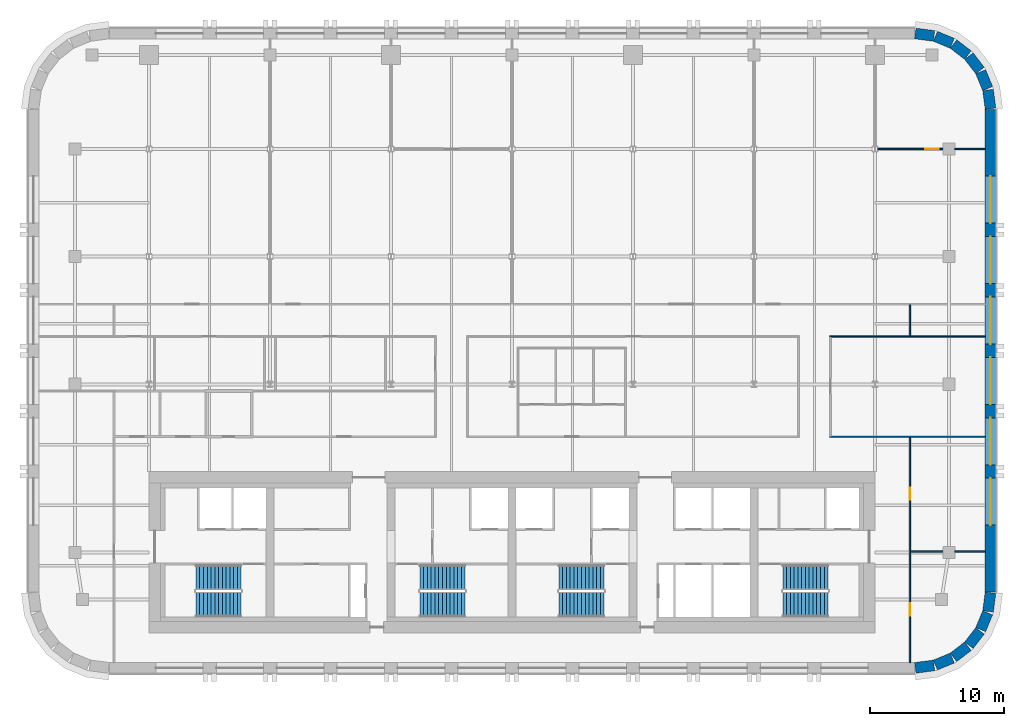
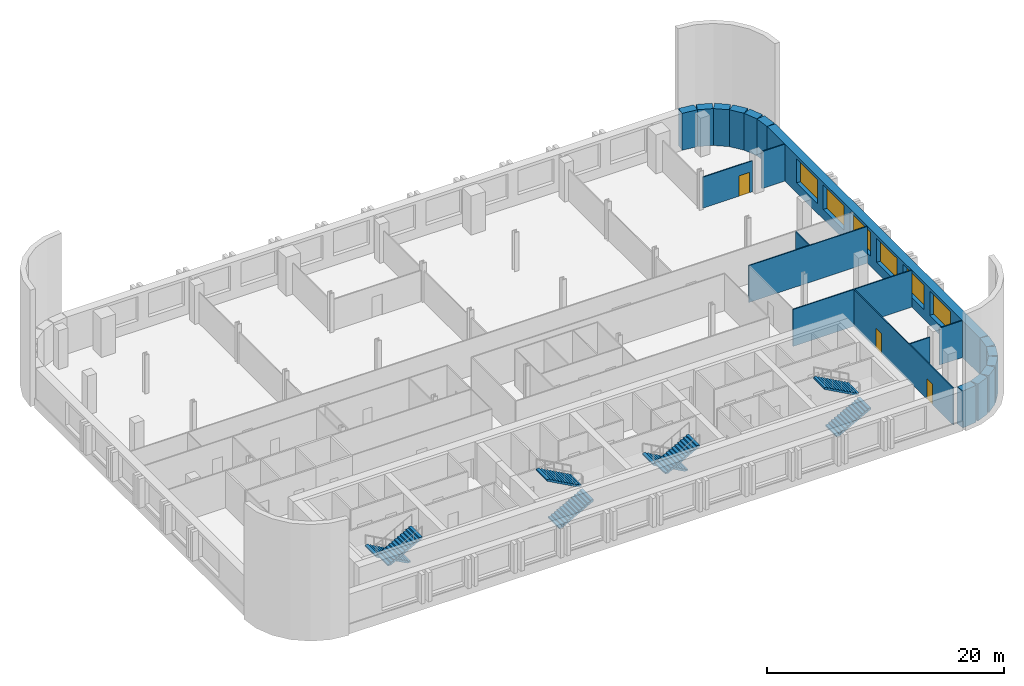
# One storey, part 7 of 9: 21 walls, 8 stair flights, 6 windows, 3 doors, 9 openings, 4 elements without a shape of their own.
"""IFC4 building model written with IfcOpenShell, lengths in metres."""

from ifc_helpers import new_model, si_unit, direction, frame, frame_2d, origin, place, context, subcontext, project, spatial, polyline, rectangle, outline, extrude, material, layer, layer_set, type_object, element, fill, aggregate, save


model = new_model("IFC4")

# Units and contexts
model_context = context("Model", 3, precision=1e-05, world=origin(), true_north=direction((0.0, 1.0)))
body_context = subcontext(model_context, "Body", "Model", "MODEL_VIEW")
ifc_project = project(units=[si_unit("LENGTHUNIT", "METRE"), si_unit("AREAUNIT", "SQUARE_METRE"), si_unit("VOLUMEUNIT", "CUBIC_METRE"), si_unit("PLANEANGLEUNIT", "RADIAN"), si_unit("MASSUNIT", "GRAM", prefix="KILO")], contexts=[model_context])

# Site, building, storey
site_placement = place(None, origin())
site = spatial("IfcSite", under=ifc_project, at=site_placement, CompositionType="ELEMENT")
building_placement = place(site_placement, origin())
building = spatial("IfcBuilding", under=site, at=building_placement, Name="Zellij Exchange Tower", CompositionType="ELEMENT")
storey_placement = place(building_placement, frame((0.0, 0.0, 200.5)))
storey = spatial("IfcBuildingStorey", under=building, at=storey_placement, Name="L46", CompositionType="ELEMENT", Elevation=200.5)

# Walls
ifc_material_1 = material(Name="Precast concrete C40/50", Category="concrete")
ifc_layer_1 = layer(ifc_material_1, 0.800048828125)
ifc_layer_set_1 = layer_set([ifc_layer_1], Name="Precast concrete C40/50")
wall_type_1 = type_object("IfcWallType", Name="ENV-EW1 Precast stone-piered wall 800", PredefinedType="SOLIDWALL", material=ifc_layer_set_1)
wall_1_placement = place(storey_placement, frame((29.999755859375, -16.5966796875, 0.0), z_axis=(0.0, 0.0, 1.0), x_axis=(0.99144603414, 0.130517283865, 0.0)))
element("IfcWall", 1, at=wall_1_placement, inside=storey, type_object=wall_type_1, Name="fac.L46.01", PredefinedType="SOLIDWALL", context=body_context, shape_type="SweptSolid", body=[
    extrude(rectangle(XDim=1.408447265625, YDim=0.800048828125, at=frame_2d((0.7041015625, 0.0))), origin(), (0.0, 0.0, 1.0), 3.800048828125),
])
wall_2_placement = place(storey_placement, frame((31.497314453125, -16.3857421875, 0.0), z_axis=(0.0, 0.0, 1.0), x_axis=(0.923847774587, 0.38276009378, 0.0)))
element("IfcWall", 2, at=wall_2_placement, inside=storey, type_object=wall_type_1, Name="fac.L46.02", PredefinedType="SOLIDWALL", context=body_context, shape_type="SweptSolid", body=[
    extrude(rectangle(XDim=1.35546875, YDim=0.800048828125, at=frame_2d((0.677734375, 0.0))), origin(), (0.0, 0.0, 1.0), 3.800048828125),
])
for number, where, z_axis, x_axis, name in (
    (3, (32.840087890625, -15.814697265625, 0.0), (0.0, 0.0, 1.0), (0.793272915452, 0.608866226366, 0.0), "fac.L46.03"),
    (4, (33.9892578125, -14.91552734375, 0.0), (0.0, 0.0, 1.0), (0.608866226366, 0.793272915452, 0.0), "fac.L46.04"),
):
    element("IfcWall", number, at=place(storey_placement, frame(where, z_axis=z_axis, x_axis=x_axis)), inside=storey, type_object=wall_type_1, Name=name, PredefinedType="SOLIDWALL", context=body_context, shape_type="SweptSolid", body=[
        extrude(rectangle(XDim=1.355712890625, YDim=0.800048828125, at=frame_2d((0.677734375, 0.0))), origin(), (0.0, 0.0, 1.0), 3.800048828125),
    ])
wall_3_placement = place(storey_placement, frame((34.866943359375, -13.74951171875, 0.0), z_axis=(0.0, 0.0, 1.0), x_axis=(0.38276009378, 0.923847774587, 0.0)))
element("IfcWall", 5, at=wall_3_placement, inside=storey, type_object=wall_type_1, Name="fac.L46.05", PredefinedType="SOLIDWALL", context=body_context, shape_type="SweptSolid", body=[
    extrude(rectangle(XDim=1.35546875, YDim=0.800048828125, at=frame_2d((0.677734375, 0.0))), origin(), (0.0, 0.0, 1.0), 3.800048828125),
])
wall_4_placement = place(storey_placement, frame((35.412841796875, -12.396240234375, 0.0), z_axis=(0.0, 0.0, 1.0), x_axis=(0.130517283865, 0.99144603414, 0.0)))
element("IfcWall", 6, at=wall_4_placement, inside=storey, type_object=wall_type_1, Name="fac.L46.06", PredefinedType="SOLIDWALL", context=body_context, shape_type="SweptSolid", body=[
    extrude(rectangle(XDim=1.408447265625, YDim=0.800048828125, at=frame_2d((0.7041015625, 0.0))), origin(), (0.0, 0.0, 1.0), 3.800048828125),
])

# Wall, openings, windows
wall_5_placement = place(storey_placement, frame((35.60009765625, -10.947509765625, 0.0), z_axis=(0.0, 0.0, 1.0), x_axis=(0.0, 1.0, 0.0)))
wall_5 = element("IfcWall", 7, at=wall_5_placement, inside=storey, type_object=wall_type_1, Name="fac.L46.07", PredefinedType="SOLIDWALL", context=body_context, shape_type="SweptSolid", body=[
    extrude(rectangle(XDim=35.89501953125, YDim=0.800048828125, at=frame_2d((17.947509765625, 0.0))), origin(), (0.0, 0.0, 1.0), 3.800048828125),
])
opening_1_placement = place(wall_5_placement, frame((4.9638671875, 0.0, 1.0)))
opening_1 = element("IfcOpeningElement", 8, at=opening_1_placement, cuts=wall_5, Name="Opening FZ3.13", PredefinedType="OPENING", context=body_context, shape_type="SweptSolid", body=[
    extrude(rectangle(XDim=3.5, YDim=2.5, at=frame_2d((1.75, 1.25))), frame((0.0, 0.412109375, 0.0), z_axis=(0.0, -1.0, 0.0), x_axis=(1.0, 0.0, 0.0)), (0.0, 0.0, 1.0), 0.823974609375),
])
opening_2_placement = place(wall_5_placement, frame((9.45751953125, 0.0, 1.0)))
opening_2 = element("IfcOpeningElement", 9, at=opening_2_placement, cuts=wall_5, Name="Opening FZ3.14", PredefinedType="OPENING", context=body_context, shape_type="SweptSolid", body=[
    extrude(rectangle(XDim=3.5, YDim=2.5, at=frame_2d((1.75, 1.25))), frame((0.0, 0.412109375, 0.0), z_axis=(0.0, -1.0, 0.0), x_axis=(1.0, 0.0, 0.0)), (0.0, 0.0, 1.0), 0.823974609375),
])
opening_3_placement = place(wall_5_placement, frame((13.950927734375, 0.0, 1.0)))
opening_3 = element("IfcOpeningElement", 10, at=opening_3_placement, cuts=wall_5, Name="Opening FZ3.15", PredefinedType="OPENING", context=body_context, shape_type="SweptSolid", body=[
    extrude(rectangle(XDim=3.5, YDim=2.5, at=frame_2d((1.75, 1.25))), frame((0.0, 0.412109375, 0.0), z_axis=(0.0, -1.0, 0.0), x_axis=(1.0, 0.0, 0.0)), (0.0, 0.0, 1.0), 0.823974609375),
])
opening_4_placement = place(wall_5_placement, frame((18.4443359375, 0.0, 1.0)))
opening_4 = element("IfcOpeningElement", 11, at=opening_4_placement, cuts=wall_5, Name="Opening FZ3.16", PredefinedType="OPENING", context=body_context, shape_type="SweptSolid", body=[
    extrude(rectangle(XDim=3.5, YDim=2.5, at=frame_2d((1.75, 1.25))), frame((0.0, 0.412109375, 0.0), z_axis=(0.0, -1.0, 0.0), x_axis=(1.0, 0.0, 0.0)), (0.0, 0.0, 1.0), 0.823974609375),
])
opening_5_placement = place(wall_5_placement, frame((22.937744140625, 0.0, 1.0)))
opening_5 = element("IfcOpeningElement", 12, at=opening_5_placement, cuts=wall_5, Name="Opening FZ3.17", PredefinedType="OPENING", context=body_context, shape_type="SweptSolid", body=[
    extrude(rectangle(XDim=3.5, YDim=2.5, at=frame_2d((1.75, 1.25))), frame((0.0, 0.412109375, 0.0), z_axis=(0.0, -1.0, 0.0), x_axis=(1.0, 0.0, 0.0)), (0.0, 0.0, 1.0), 0.823974609375),
])
opening_6_placement = place(wall_5_placement, frame((27.43115234375, 0.0, 1.0)))
opening_6 = element("IfcOpeningElement", 13, at=opening_6_placement, cuts=wall_5, Name="Opening FZ3.18", PredefinedType="OPENING", context=body_context, shape_type="SweptSolid", body=[
    extrude(rectangle(XDim=3.5, YDim=2.5, at=frame_2d((1.75, 1.25))), frame((0.0, 0.412109375, 0.0), z_axis=(0.0, -1.0, 0.0), x_axis=(1.0, 0.0, 0.0)), (0.0, 0.0, 1.0), 0.823974609375),
])
ifc_material_2 = material(Name="Aluminium frame with insulating glass", Category="aluminium")
window_type = type_object("IfcWindowType", Name="ENV-W1 Window 3500x2500", PartitioningType="SINGLE_PANEL", PredefinedType="WINDOW", material=ifc_material_2)
window_1_placement = place(opening_1_placement, origin())
window_1 = element("IfcWindow", 14, at=window_1_placement, inside=storey, type_object=window_type, Name="Window FZ3.13", OverallHeight=2.5, OverallWidth=3.5, PartitioningType="SINGLE_PANEL", PredefinedType="WINDOW", context=body_context, shape_type="SweptSolid", body=[
    extrude(rectangle(XDim=3.5, YDim=2.5, at=frame_2d((1.75, 1.25))), frame((0.0, 0.030029296875, 0.0), z_axis=(0.0, -1.0, 0.0), x_axis=(1.0, 0.0, 0.0)), (0.0, 0.0, 1.0), 0.06005859375),
])
fill(opening_1, window_1)
window_2_placement = place(opening_2_placement, origin())
window_2 = element("IfcWindow", 15, at=window_2_placement, inside=storey, type_object=window_type, Name="Window FZ3.14", OverallHeight=2.5, OverallWidth=3.5, PartitioningType="SINGLE_PANEL", PredefinedType="WINDOW", context=body_context, shape_type="SweptSolid", body=[
    extrude(rectangle(XDim=3.5, YDim=2.5, at=frame_2d((1.75, 1.25))), frame((0.0, 0.030029296875, 0.0), z_axis=(0.0, -1.0, 0.0), x_axis=(1.0, 0.0, 0.0)), (0.0, 0.0, 1.0), 0.06005859375),
])
fill(opening_2, window_2)
window_3_placement = place(opening_3_placement, origin())
window_3 = element("IfcWindow", 16, at=window_3_placement, inside=storey, type_object=window_type, Name="Window FZ3.15", OverallHeight=2.5, OverallWidth=3.5, PartitioningType="SINGLE_PANEL", PredefinedType="WINDOW", context=body_context, shape_type="SweptSolid", body=[
    extrude(rectangle(XDim=3.5, YDim=2.5, at=frame_2d((1.75, 1.25))), frame((0.0, 0.030029296875, 0.0), z_axis=(0.0, -1.0, 0.0), x_axis=(1.0, 0.0, 0.0)), (0.0, 0.0, 1.0), 0.06005859375),
])
fill(opening_3, window_3)
window_4_placement = place(opening_4_placement, origin())
window_4 = element("IfcWindow", 17, at=window_4_placement, inside=storey, type_object=window_type, Name="Window FZ3.16", OverallHeight=2.5, OverallWidth=3.5, PartitioningType="SINGLE_PANEL", PredefinedType="WINDOW", context=body_context, shape_type="SweptSolid", body=[
    extrude(rectangle(XDim=3.5, YDim=2.5, at=frame_2d((1.75, 1.25))), frame((0.0, 0.030029296875, 0.0), z_axis=(0.0, -1.0, 0.0), x_axis=(1.0, 0.0, 0.0)), (0.0, 0.0, 1.0), 0.06005859375),
])
fill(opening_4, window_4)
window_5_placement = place(opening_5_placement, origin())
window_5 = element("IfcWindow", 18, at=window_5_placement, inside=storey, type_object=window_type, Name="Window FZ3.17", OverallHeight=2.5, OverallWidth=3.5, PartitioningType="SINGLE_PANEL", PredefinedType="WINDOW", context=body_context, shape_type="SweptSolid", body=[
    extrude(rectangle(XDim=3.5, YDim=2.5, at=frame_2d((1.75, 1.25))), frame((0.0, 0.030029296875, 0.0), z_axis=(0.0, -1.0, 0.0), x_axis=(1.0, 0.0, 0.0)), (0.0, 0.0, 1.0), 0.06005859375),
])
fill(opening_5, window_5)
window_6_placement = place(opening_6_placement, origin())
window_6 = element("IfcWindow", 19, at=window_6_placement, inside=storey, type_object=window_type, Name="Window FZ3.18", OverallHeight=2.5, OverallWidth=3.5, PartitioningType="SINGLE_PANEL", PredefinedType="WINDOW", context=body_context, shape_type="SweptSolid", body=[
    extrude(rectangle(XDim=3.5, YDim=2.5, at=frame_2d((1.75, 1.25))), frame((0.0, 0.030029296875, 0.0), z_axis=(0.0, -1.0, 0.0), x_axis=(1.0, 0.0, 0.0)), (0.0, 0.0, 1.0), 0.06005859375),
])
fill(opening_6, window_6)

# Walls
wall_6_placement = place(storey_placement, frame((35.5966796875, 24.999755859375, 0.0), z_axis=(0.0, 0.0, 1.0), x_axis=(-0.130517283865, 0.99144603414, 0.0)))
element("IfcWall", 20, at=wall_6_placement, inside=storey, type_object=wall_type_1, Name="fac.L46.08", PredefinedType="SOLIDWALL", context=body_context, shape_type="SweptSolid", body=[
    extrude(rectangle(XDim=1.408447265625, YDim=0.800048828125, at=frame_2d((0.7041015625, 0.0))), origin(), (0.0, 0.0, 1.0), 3.800048828125),
])
wall_7_placement = place(storey_placement, frame((35.3857421875, 26.497314453125, 0.0), z_axis=(0.0, 0.0, 1.0), x_axis=(-0.38276009378, 0.923847774587, 0.0)))
element("IfcWall", 21, at=wall_7_placement, inside=storey, type_object=wall_type_1, Name="fac.L46.09", PredefinedType="SOLIDWALL", context=body_context, shape_type="SweptSolid", body=[
    extrude(rectangle(XDim=1.35546875, YDim=0.800048828125, at=frame_2d((0.677734375, 0.0))), origin(), (0.0, 0.0, 1.0), 3.800048828125),
])
for number, where, z_axis, x_axis, name in (
    (22, (34.814697265625, 27.840087890625, 0.0), (0.0, 0.0, 1.0), (-0.608866226366, 0.793272915452, 0.0), "fac.L46.10"),
    (23, (33.91552734375, 28.9892578125, 0.0), (0.0, 0.0, 1.0), (-0.793272915452, 0.608866226366, 0.0), "fac.L46.11"),
):
    element("IfcWall", number, at=place(storey_placement, frame(where, z_axis=z_axis, x_axis=x_axis)), inside=storey, type_object=wall_type_1, Name=name, PredefinedType="SOLIDWALL", context=body_context, shape_type="SweptSolid", body=[
        extrude(rectangle(XDim=1.355712890625, YDim=0.800048828125, at=frame_2d((0.677734375, 0.0))), origin(), (0.0, 0.0, 1.0), 3.800048828125),
    ])
wall_8_placement = place(storey_placement, frame((32.74951171875, 29.866943359375, 0.0), z_axis=(0.0, 0.0, 1.0), x_axis=(-0.923847774587, 0.38276009378, 0.0)))
element("IfcWall", 24, at=wall_8_placement, inside=storey, type_object=wall_type_1, Name="fac.L46.12", PredefinedType="SOLIDWALL", context=body_context, shape_type="SweptSolid", body=[
    extrude(rectangle(XDim=1.35546875, YDim=0.800048828125, at=frame_2d((0.677734375, 0.0))), origin(), (0.0, 0.0, 1.0), 3.800048828125),
])
wall_9_placement = place(storey_placement, frame((31.396240234375, 30.412841796875, 0.0), z_axis=(0.0, 0.0, 1.0), x_axis=(-0.99144603414, 0.130517283865, 0.0)))
element("IfcWall", 25, at=wall_9_placement, inside=storey, type_object=wall_type_1, Name="fac.L46.13", PredefinedType="SOLIDWALL", context=body_context, shape_type="SweptSolid", body=[
    extrude(rectangle(XDim=1.408447265625, YDim=0.800048828125, at=frame_2d((0.7041015625, 0.0))), origin(), (0.0, 0.0, 1.0), 3.800048828125),
])

# Wall, openings, doors
ifc_material_3 = material(Name="Gypsum board partition on steel studs", Category="steel")
ifc_layer_2 = layer(ifc_material_3, 0.10009765625)
ifc_layer_set_2 = layer_set([ifc_layer_2], Name="Gypsum board partition on steel studs")
wall_type_2 = type_object("IfcWallType", Name="FIT-PARTITION-100", PredefinedType="PARTITIONING", material=ifc_layer_set_2)
wall_10_placement = place(storey_placement, frame((29.60009765625, -16.199951171875, 0.0), z_axis=(0.0, 0.0, 1.0), x_axis=(0.0, 1.0, 0.0)))
wall_10 = element("IfcWall", 26, at=wall_10_placement, inside=storey, type_object=wall_type_2, Name="FIT-PARTITION-100 002", PredefinedType="PARTITIONING", context=body_context, shape_type="SweptSolid", body=[
    extrude(rectangle(XDim=16.75, YDim=0.10009765625, at=frame_2d((8.375, 0.0))), origin(), (0.0, 0.0, 1.0), 3.800048828125),
])
opening_7_placement = place(wall_10_placement, frame((3.5, 0.0, 0.0)))
opening_7 = element("IfcOpeningElement", 27, at=opening_7_placement, cuts=wall_10, Name="Opening O3D.01", PredefinedType="OPENING", context=body_context, shape_type="SweptSolid", body=[
    extrude(rectangle(XDim=0.89990234375, YDim=2.10009765625, at=frame_2d((0.449951171875, 1.050048828125))), frame((0.0, 0.06201171875, 0.0), z_axis=(0.0, -1.0, 0.0), x_axis=(1.0, 0.0, 0.0)), (0.0, 0.0, 1.0), 0.1240234375),
])
opening_8_placement = place(wall_10_placement, frame((12.10009765625, 0.0, 0.0)))
opening_8 = element("IfcOpeningElement", 28, at=opening_8_placement, cuts=wall_10, Name="Opening O3D.03", PredefinedType="OPENING", context=body_context, shape_type="SweptSolid", body=[
    extrude(rectangle(XDim=0.89990234375, YDim=2.10009765625, at=frame_2d((0.449951171875, 1.050048828125))), frame((0.0, 0.06201171875, 0.0), z_axis=(0.0, -1.0, 0.0), x_axis=(1.0, 0.0, 0.0)), (0.0, 0.0, 1.0), 0.1240234375),
])
ifc_material_4 = material(Name="Timber door set", Category="wood")
door_type_1 = type_object("IfcDoorType", Name="FIT-D1-ROOM-900X2100", OperationType="SINGLE_SWING_LEFT", PredefinedType="DOOR", material=ifc_material_4)
door_1_placement = place(opening_7_placement, origin())
door_1 = element("IfcDoor", 29, at=door_1_placement, inside=storey, type_object=door_type_1, Name="Door O3D.01", OperationType="SINGLE_SWING_LEFT", OverallHeight=2.10009765625, OverallWidth=0.89990234375, PredefinedType="DOOR", context=body_context, shape_type="SweptSolid", body=[
    extrude(rectangle(XDim=0.89990234375, YDim=2.10009765625, at=frame_2d((0.449951171875, 1.050048828125))), frame((0.0, 0.02490234375, 0.0), z_axis=(0.0, -1.0, 0.0), x_axis=(1.0, 0.0, 0.0)), (0.0, 0.0, 1.0), 0.050048828125),
])
fill(opening_7, door_1)
door_2_placement = place(opening_8_placement, origin())
door_2 = element("IfcDoor", 30, at=door_2_placement, inside=storey, type_object=door_type_1, Name="Door O3D.03", OperationType="SINGLE_SWING_RIGHT", OverallHeight=2.10009765625, OverallWidth=0.89990234375, PredefinedType="DOOR", context=body_context, shape_type="SweptSolid", body=[
    extrude(rectangle(XDim=0.89990234375, YDim=2.10009765625, at=frame_2d((0.449951171875, 1.050048828125))), frame((0.0, 0.02490234375, 0.0), z_axis=(0.0, -1.0, 0.0), x_axis=(1.0, 0.0, 0.0)), (0.0, 0.0, 1.0), 0.050048828125),
])
fill(opening_8, door_2)

# Walls
wall_11_placement = place(storey_placement, frame((29.64990234375, -7.949951171875, 0.0), z_axis=(0.0, 0.0, 1.0), x_axis=(1.0, 0.0, 0.0)))
element("IfcWall", 31, at=wall_11_placement, inside=storey, type_object=wall_type_2, Name="FIT-PARTITION-100 003", PredefinedType="PARTITIONING", context=body_context, shape_type="SweptSolid", body=[
    extrude(rectangle(XDim=2.400146484375, YDim=0.10009765625, at=frame_2d((1.2001953125, 0.0))), origin(), (0.0, 0.0, 1.0), 3.19287109375),
])
wall_12_placement = place(storey_placement, frame((32.949951171875, -7.949951171875, 0.0), z_axis=(0.0, 0.0, 1.0), x_axis=(1.0, 0.0, 0.0)))
element("IfcWall", 32, at=wall_12_placement, inside=storey, type_object=wall_type_2, Name="FIT-PARTITION-100 004", PredefinedType="PARTITIONING", context=body_context, shape_type="SweptSolid", body=[
    extrude(rectangle(XDim=2.25, YDim=0.10009765625, at=frame_2d((1.125, 0.0))), origin(), (0.0, 0.0, 1.0), 3.800048828125),
])
for number, where, z_axis, x_axis, name in (
    (33, (23.64990234375, 0.60009765625, 0.0), (0.0, 0.0, 1.0), (1.0, 0.0, 0.0), "FIT-PARTITION-100 018"),
    (34, (23.64990234375, 8.050048828125, 0.0), (0.0, 0.0, 1.0), (1.0, 0.0, 0.0), "FIT-PARTITION-100 035"),
):
    element("IfcWall", number, at=place(storey_placement, frame(where, z_axis=z_axis, x_axis=x_axis)), inside=storey, type_object=wall_type_2, Name=name, PredefinedType="PARTITIONING", context=body_context, shape_type="SweptSolid", body=[
        extrude(rectangle(XDim=11.550048828125, YDim=0.10009765625, at=frame_2d((5.77490234375, 0.0))), origin(), (0.0, 0.0, 1.0), 3.800048828125),
    ])
wall_13_placement = place(storey_placement, frame((29.60009765625, 8.10009765625, 0.0), z_axis=(0.0, 0.0, 1.0), x_axis=(0.0, 1.0, 0.0)))
element("IfcWall", 35, at=wall_13_placement, inside=storey, type_object=wall_type_2, Name="FIT-PARTITION-100 036", PredefinedType="PARTITIONING", context=body_context, shape_type="SweptSolid", body=[
    extrude(rectangle(XDim=2.2998046875, YDim=0.10009765625, at=frame_2d((1.14990234375, 0.0))), origin(), (0.0, 0.0, 1.0), 3.800048828125),
])

# Wall, opening, door
wall_14_placement = place(storey_placement, frame((27.20458984375, 22.0, 0.0), z_axis=(0.0, 0.0, 1.0), x_axis=(1.0, 0.0, 0.0)))
wall_14 = element("IfcWall", 36, at=wall_14_placement, inside=storey, type_object=wall_type_2, Name="FIT-PARTITION-100 053", PredefinedType="PARTITIONING", context=body_context, shape_type="SweptSolid", body=[
    extrude(rectangle(XDim=4.845458984375, YDim=0.10009765625, at=frame_2d((2.4228515625, 0.0))), origin(), (0.0, 0.0, 1.0), 3.19287109375),
])
opening_9_placement = place(wall_14_placement, frame((3.54541015625, 0.0, 0.0)))
opening_9 = element("IfcOpeningElement", 37, at=opening_9_placement, cuts=wall_14, Name="Opening O3D.23", PredefinedType="OPENING", context=body_context, shape_type="SweptSolid", body=[
    extrude(rectangle(XDim=1.0, YDim=2.10009765625, at=frame_2d((0.5, 1.050048828125))), frame((0.0, 0.06201171875, 0.0), z_axis=(0.0, -1.0, 0.0), x_axis=(1.0, 0.0, 0.0)), (0.0, 0.0, 1.0), 0.1240234375),
])
door_type_2 = type_object("IfcDoorType", Name="FIT-D2-WIDE-1000X2100", OperationType="SINGLE_SWING_LEFT", PredefinedType="DOOR", material=ifc_material_4)
door_3_placement = place(opening_9_placement, origin())
door_3 = element("IfcDoor", 38, at=door_3_placement, inside=storey, type_object=door_type_2, Name="Door O3D.23", OperationType="SINGLE_SWING_LEFT", OverallHeight=2.10009765625, OverallWidth=1.0, PredefinedType="DOOR", context=body_context, shape_type="SweptSolid", body=[
    extrude(rectangle(XDim=1.0, YDim=2.10009765625, at=frame_2d((0.5, 1.050048828125))), frame((0.0, 0.02490234375, 0.0), z_axis=(0.0, -1.0, 0.0), x_axis=(1.0, 0.0, 0.0)), (0.0, 0.0, 1.0), 0.050048828125),
])
fill(opening_9, door_3)

# Wall
wall_15_placement = place(storey_placement, frame((32.949951171875, 22.0, 0.0), z_axis=(0.0, 0.0, 1.0), x_axis=(1.0, 0.0, 0.0)))
element("IfcWall", 39, at=wall_15_placement, inside=storey, type_object=wall_type_2, Name="FIT-PARTITION-100 054", PredefinedType="PARTITIONING", context=body_context, shape_type="SweptSolid", body=[
    extrude(rectangle(XDim=2.25, YDim=0.10009765625, at=frame_2d((1.125, 0.0))), origin(), (0.0, 0.0, 1.0), 3.800048828125),
])

# Stair, stair flights
ifc_material_5 = material(Name="Concrete C40/50", Category="concrete")
stair_type = type_object("IfcStairType", Name="CORE-ST exit stair 1850 wide", PredefinedType="HALF_TURN_STAIR", material=ifc_material_5)
stair_1_placement = place(storey_placement, origin())
stair_1 = element("IfcStair", 40, at=stair_1_placement, inside=storey, type_object=stair_type, Name="L46 exit stair ST1", PredefinedType="HALF_TURN_STAIR")
stair_flight_type = type_object("IfcStairFlightType", Name="CORE-SF flight 1850 riser 153.8 going 280", PredefinedType="STRAIGHT", material=ifc_material_5)
stair_flight_1_placement = place(storey_placement, frame((-20.14990234375, -9.875, 0.0), z_axis=(0.0, 0.0, 1.0), x_axis=(-1.0, 0.0, 0.0)))
stair_flight_1 = element("IfcStairFlight", 41, at=stair_flight_1_placement, type_object=stair_flight_type, Name="ST1 flight 1", NumberOfRisers=13, NumberOfTreads=12, PredefinedType="STRAIGHT", RiserHeight=0.153846154, TreadLength=0.28, context=body_context, shape_type="SweptSolid", body=[
    extrude(outline(polyline([(0.0, 0.0), (0.0, 0.15380859375), (0.280029296875, 0.15380859375), (0.280029296875, 0.3076171875), (0.56005859375, 0.3076171875), (0.56005859375, 0.46142578125), (0.840087890625, 0.46142578125), (0.840087890625, 0.615478515625), (1.1201171875, 0.615478515625), (1.1201171875, 0.769287109375), (1.39990234375, 0.769287109375), (1.39990234375, 0.923095703125), (1.679931640625, 0.923095703125), (1.679931640625, 1.076904296875), (1.9599609375, 1.076904296875), (1.9599609375, 1.230712890625), (2.239990234375, 1.230712890625), (2.239990234375, 1.384521484375), (2.52001953125, 1.384521484375), (2.52001953125, 1.53857421875), (2.800048828125, 1.53857421875), (2.800048828125, 1.6923828125), (3.080078125, 1.6923828125), (3.080078125, 1.84619140625), (3.360107421875, 1.84619140625), (3.360107421875, 2.0), (3.360107421875, 1.675048828125), (0.311279296875, 0.0), (0.0, 0.0)])), frame((0.0, 0.925048828125, 0.0), z_axis=(0.0, -1.0, 0.0), x_axis=(1.0, 0.0, 0.0)), (0.0, 0.0, 1.0), 1.85009765625),
])
stair_flight_2_placement = place(storey_placement, frame((-23.510009765625, -11.875, 2.0), z_axis=(0.0, 0.0, 1.0), x_axis=(1.0, 0.0, 0.0)))
stair_flight_2 = element("IfcStairFlight", 42, at=stair_flight_2_placement, type_object=stair_flight_type, Name="ST1 flight 2", NumberOfRisers=13, NumberOfTreads=12, PredefinedType="STRAIGHT", RiserHeight=0.153846154, TreadLength=0.28, context=body_context, shape_type="SweptSolid", body=[
    extrude(outline(polyline([(0.0, 0.0), (0.0, 0.15380859375), (0.280029296875, 0.15380859375), (0.280029296875, 0.3076171875), (0.56005859375, 0.3076171875), (0.56005859375, 0.46142578125), (0.840087890625, 0.46142578125), (0.840087890625, 0.615478515625), (1.1201171875, 0.615478515625), (1.1201171875, 0.769287109375), (1.39990234375, 0.769287109375), (1.39990234375, 0.923095703125), (1.679931640625, 0.923095703125), (1.679931640625, 1.076904296875), (1.9599609375, 1.076904296875), (1.9599609375, 1.230712890625), (2.239990234375, 1.230712890625), (2.239990234375, 1.384521484375), (2.52001953125, 1.384521484375), (2.52001953125, 1.53857421875), (2.800048828125, 1.53857421875), (2.800048828125, 1.6923828125), (3.080078125, 1.6923828125), (3.080078125, 1.84619140625), (3.360107421875, 1.84619140625), (3.360107421875, 2.0), (3.360107421875, 1.675048828125), (0.311279296875, 0.0), (0.0, 0.0)])), frame((0.0, 0.925048828125, 0.0), z_axis=(0.0, -1.0, 0.0), x_axis=(1.0, 0.0, 0.0)), (0.0, 0.0, 1.0), 1.85009765625),
])
aggregate(stair_1, [stair_flight_1, stair_flight_2])

stair_2_placement = place(storey_placement, origin())
stair_2 = element("IfcStair", 43, at=stair_2_placement, inside=storey, type_object=stair_type, Name="L46 exit stair ST2", PredefinedType="HALF_TURN_STAIR")
stair_flight_3_placement = place(storey_placement, frame((-6.85009765625, -11.875, 0.0), z_axis=(0.0, 0.0, 1.0), x_axis=(1.0, 0.0, 0.0)))
stair_flight_3 = element("IfcStairFlight", 44, at=stair_flight_3_placement, type_object=stair_flight_type, Name="ST2 flight 1", NumberOfRisers=13, NumberOfTreads=12, PredefinedType="STRAIGHT", RiserHeight=0.153846154, TreadLength=0.28, context=body_context, shape_type="SweptSolid", body=[
    extrude(outline(polyline([(0.0, 0.0), (0.0, 0.15380859375), (0.280029296875, 0.15380859375), (0.280029296875, 0.3076171875), (0.56005859375, 0.3076171875), (0.56005859375, 0.46142578125), (0.840087890625, 0.46142578125), (0.840087890625, 0.615478515625), (1.1201171875, 0.615478515625), (1.1201171875, 0.769287109375), (1.39990234375, 0.769287109375), (1.39990234375, 0.923095703125), (1.679931640625, 0.923095703125), (1.679931640625, 1.076904296875), (1.9599609375, 1.076904296875), (1.9599609375, 1.230712890625), (2.239990234375, 1.230712890625), (2.239990234375, 1.384521484375), (2.52001953125, 1.384521484375), (2.52001953125, 1.53857421875), (2.800048828125, 1.53857421875), (2.800048828125, 1.6923828125), (3.080078125, 1.6923828125), (3.080078125, 1.84619140625), (3.360107421875, 1.84619140625), (3.360107421875, 2.0), (3.360107421875, 1.675048828125), (0.311279296875, 0.0), (0.0, 0.0)])), frame((0.0, 0.925048828125, 0.0), z_axis=(0.0, -1.0, 0.0), x_axis=(1.0, 0.0, 0.0)), (0.0, 0.0, 1.0), 1.85009765625),
])
stair_flight_4_placement = place(storey_placement, frame((-3.489990234375, -9.875, 2.0), z_axis=(0.0, 0.0, 1.0), x_axis=(-1.0, 0.0, 0.0)))
stair_flight_4 = element("IfcStairFlight", 45, at=stair_flight_4_placement, type_object=stair_flight_type, Name="ST2 flight 2", NumberOfRisers=13, NumberOfTreads=12, PredefinedType="STRAIGHT", RiserHeight=0.153846154, TreadLength=0.28, context=body_context, shape_type="SweptSolid", body=[
    extrude(outline(polyline([(0.0, 0.0), (0.0, 0.15380859375), (0.280029296875, 0.15380859375), (0.280029296875, 0.3076171875), (0.56005859375, 0.3076171875), (0.56005859375, 0.46142578125), (0.840087890625, 0.46142578125), (0.840087890625, 0.615478515625), (1.1201171875, 0.615478515625), (1.1201171875, 0.769287109375), (1.39990234375, 0.769287109375), (1.39990234375, 0.923095703125), (1.679931640625, 0.923095703125), (1.679931640625, 1.076904296875), (1.9599609375, 1.076904296875), (1.9599609375, 1.230712890625), (2.239990234375, 1.230712890625), (2.239990234375, 1.384521484375), (2.52001953125, 1.384521484375), (2.52001953125, 1.53857421875), (2.800048828125, 1.53857421875), (2.800048828125, 1.6923828125), (3.080078125, 1.6923828125), (3.080078125, 1.84619140625), (3.360107421875, 1.84619140625), (3.360107421875, 2.0), (3.360107421875, 1.675048828125), (0.311279296875, 0.0), (0.0, 0.0)])), frame((0.0, 0.925048828125, 0.0), z_axis=(0.0, -1.0, 0.0), x_axis=(1.0, 0.0, 0.0)), (0.0, 0.0, 1.0), 1.85009765625),
])
aggregate(stair_2, [stair_flight_3, stair_flight_4])

stair_3_placement = place(storey_placement, origin())
stair_3 = element("IfcStair", 46, at=stair_3_placement, inside=storey, type_object=stair_type, Name="L46 exit stair ST3", PredefinedType="HALF_TURN_STAIR")
stair_flight_5_placement = place(storey_placement, frame((6.85009765625, -9.875, 0.0), z_axis=(0.0, 0.0, 1.0), x_axis=(-1.0, 0.0, 0.0)))
stair_flight_5 = element("IfcStairFlight", 47, at=stair_flight_5_placement, type_object=stair_flight_type, Name="ST3 flight 1", NumberOfRisers=13, NumberOfTreads=12, PredefinedType="STRAIGHT", RiserHeight=0.153846154, TreadLength=0.28, context=body_context, shape_type="SweptSolid", body=[
    extrude(outline(polyline([(0.0, 0.0), (0.0, 0.15380859375), (0.280029296875, 0.15380859375), (0.280029296875, 0.3076171875), (0.56005859375, 0.3076171875), (0.56005859375, 0.46142578125), (0.840087890625, 0.46142578125), (0.840087890625, 0.615478515625), (1.1201171875, 0.615478515625), (1.1201171875, 0.769287109375), (1.39990234375, 0.769287109375), (1.39990234375, 0.923095703125), (1.679931640625, 0.923095703125), (1.679931640625, 1.076904296875), (1.9599609375, 1.076904296875), (1.9599609375, 1.230712890625), (2.239990234375, 1.230712890625), (2.239990234375, 1.384521484375), (2.52001953125, 1.384521484375), (2.52001953125, 1.53857421875), (2.800048828125, 1.53857421875), (2.800048828125, 1.6923828125), (3.080078125, 1.6923828125), (3.080078125, 1.84619140625), (3.360107421875, 1.84619140625), (3.360107421875, 2.0), (3.360107421875, 1.675048828125), (0.311279296875, 0.0), (0.0, 0.0)])), frame((0.0, 0.925048828125, 0.0), z_axis=(0.0, -1.0, 0.0), x_axis=(1.0, 0.0, 0.0)), (0.0, 0.0, 1.0), 1.85009765625),
])
stair_flight_6_placement = place(storey_placement, frame((3.489990234375, -11.875, 2.0), z_axis=(0.0, 0.0, 1.0), x_axis=(1.0, 0.0, 0.0)))
stair_flight_6 = element("IfcStairFlight", 48, at=stair_flight_6_placement, type_object=stair_flight_type, Name="ST3 flight 2", NumberOfRisers=13, NumberOfTreads=12, PredefinedType="STRAIGHT", RiserHeight=0.153846154, TreadLength=0.28, context=body_context, shape_type="SweptSolid", body=[
    extrude(outline(polyline([(0.0, 0.0), (0.0, 0.15380859375), (0.280029296875, 0.15380859375), (0.280029296875, 0.3076171875), (0.56005859375, 0.3076171875), (0.56005859375, 0.46142578125), (0.840087890625, 0.46142578125), (0.840087890625, 0.615478515625), (1.1201171875, 0.615478515625), (1.1201171875, 0.769287109375), (1.39990234375, 0.769287109375), (1.39990234375, 0.923095703125), (1.679931640625, 0.923095703125), (1.679931640625, 1.076904296875), (1.9599609375, 1.076904296875), (1.9599609375, 1.230712890625), (2.239990234375, 1.230712890625), (2.239990234375, 1.384521484375), (2.52001953125, 1.384521484375), (2.52001953125, 1.53857421875), (2.800048828125, 1.53857421875), (2.800048828125, 1.6923828125), (3.080078125, 1.6923828125), (3.080078125, 1.84619140625), (3.360107421875, 1.84619140625), (3.360107421875, 2.0), (3.360107421875, 1.675048828125), (0.311279296875, 0.0), (0.0, 0.0)])), frame((0.0, 0.925048828125, 0.0), z_axis=(0.0, -1.0, 0.0), x_axis=(1.0, 0.0, 0.0)), (0.0, 0.0, 1.0), 1.85009765625),
])
aggregate(stair_3, [stair_flight_5, stair_flight_6])

stair_4_placement = place(storey_placement, origin())
stair_4 = element("IfcStair", 49, at=stair_4_placement, inside=storey, type_object=stair_type, Name="L46 exit stair ST4", PredefinedType="HALF_TURN_STAIR")
stair_flight_7_placement = place(storey_placement, frame((20.14990234375, -11.875, 0.0), z_axis=(0.0, 0.0, 1.0), x_axis=(1.0, 0.0, 0.0)))
stair_flight_7 = element("IfcStairFlight", 50, at=stair_flight_7_placement, type_object=stair_flight_type, Name="ST4 flight 1", NumberOfRisers=13, NumberOfTreads=12, PredefinedType="STRAIGHT", RiserHeight=0.153846154, TreadLength=0.28, context=body_context, shape_type="SweptSolid", body=[
    extrude(outline(polyline([(0.0, 0.0), (0.0, 0.15380859375), (0.280029296875, 0.15380859375), (0.280029296875, 0.3076171875), (0.56005859375, 0.3076171875), (0.56005859375, 0.46142578125), (0.840087890625, 0.46142578125), (0.840087890625, 0.615478515625), (1.1201171875, 0.615478515625), (1.1201171875, 0.769287109375), (1.39990234375, 0.769287109375), (1.39990234375, 0.923095703125), (1.679931640625, 0.923095703125), (1.679931640625, 1.076904296875), (1.9599609375, 1.076904296875), (1.9599609375, 1.230712890625), (2.239990234375, 1.230712890625), (2.239990234375, 1.384521484375), (2.52001953125, 1.384521484375), (2.52001953125, 1.53857421875), (2.800048828125, 1.53857421875), (2.800048828125, 1.6923828125), (3.080078125, 1.6923828125), (3.080078125, 1.84619140625), (3.360107421875, 1.84619140625), (3.360107421875, 2.0), (3.360107421875, 1.675048828125), (0.311279296875, 0.0), (0.0, 0.0)])), frame((0.0, 0.925048828125, 0.0), z_axis=(0.0, -1.0, 0.0), x_axis=(1.0, 0.0, 0.0)), (0.0, 0.0, 1.0), 1.85009765625),
])
stair_flight_8_placement = place(storey_placement, frame((23.510009765625, -9.875, 2.0), z_axis=(0.0, 0.0, 1.0), x_axis=(-1.0, 0.0, 0.0)))
stair_flight_8 = element("IfcStairFlight", 51, at=stair_flight_8_placement, type_object=stair_flight_type, Name="ST4 flight 2", NumberOfRisers=13, NumberOfTreads=12, PredefinedType="STRAIGHT", RiserHeight=0.153846154, TreadLength=0.28, context=body_context, shape_type="SweptSolid", body=[
    extrude(outline(polyline([(0.0, 0.0), (0.0, 0.15380859375), (0.280029296875, 0.15380859375), (0.280029296875, 0.3076171875), (0.56005859375, 0.3076171875), (0.56005859375, 0.46142578125), (0.840087890625, 0.46142578125), (0.840087890625, 0.615478515625), (1.1201171875, 0.615478515625), (1.1201171875, 0.769287109375), (1.39990234375, 0.769287109375), (1.39990234375, 0.923095703125), (1.679931640625, 0.923095703125), (1.679931640625, 1.076904296875), (1.9599609375, 1.076904296875), (1.9599609375, 1.230712890625), (2.239990234375, 1.230712890625), (2.239990234375, 1.384521484375), (2.52001953125, 1.384521484375), (2.52001953125, 1.53857421875), (2.800048828125, 1.53857421875), (2.800048828125, 1.6923828125), (3.080078125, 1.6923828125), (3.080078125, 1.84619140625), (3.360107421875, 1.84619140625), (3.360107421875, 2.0), (3.360107421875, 1.675048828125), (0.311279296875, 0.0), (0.0, 0.0)])), frame((0.0, 0.925048828125, 0.0), z_axis=(0.0, -1.0, 0.0), x_axis=(1.0, 0.0, 0.0)), (0.0, 0.0, 1.0), 1.85009765625),
])
aggregate(stair_4, [stair_flight_7, stair_flight_8])

save(model, "model.ifc")
